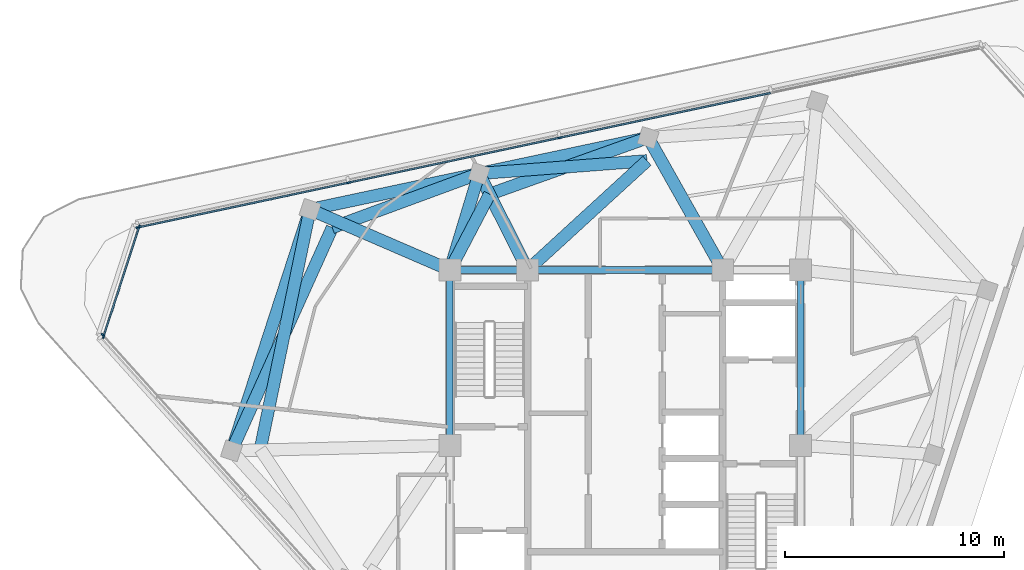
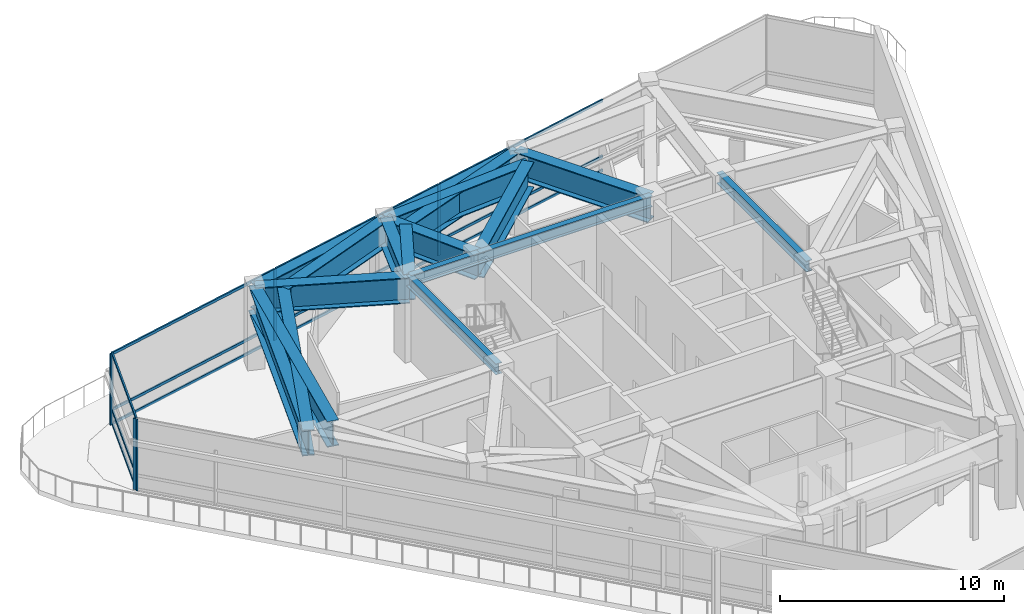
# One storey, part 6 of 15: 18 beams, 18 members, 3 elements without a shape of their own.
"""IFC4 building model written with IfcOpenShell, lengths in metres."""

from ifc_helpers import new_model, si_unit, direction, frame, origin, origin_2d, place, context, subcontext, project, spatial, rectangle, i_section, extrude, material, layer, layer_set, material_profile, profile_set, type_object, element, aggregate, save


model = new_model("IFC4")

# Units and contexts
model_context = context("Model", 3, precision=1e-05, world=origin(), true_north=direction((0.0, 1.0)))
body_context = subcontext(model_context, "Body", "Model", "MODEL_VIEW")
ifc_project = project(units=[si_unit("LENGTHUNIT", "METRE"), si_unit("AREAUNIT", "SQUARE_METRE"), si_unit("VOLUMEUNIT", "CUBIC_METRE"), si_unit("PLANEANGLEUNIT", "RADIAN"), si_unit("MASSUNIT", "GRAM", prefix="KILO")], contexts=[model_context])

# Site, building, storey
site_placement = place(None, origin())
site = spatial("IfcSite", under=ifc_project, at=site_placement, CompositionType="ELEMENT")
building_placement = place(site_placement, origin())
building = spatial("IfcBuilding", under=site, at=building_placement, Name="Terralouvre Media Tower", CompositionType="ELEMENT")
storey_placement = place(building_placement, frame((0.0, 0.0, 312.800048828125)))
storey = spatial("IfcBuildingStorey", under=building, at=storey_placement, Name="L81", CompositionType="ELEMENT", Elevation=312.800048828125)

# Curtain wall, members
ifc_material_1 = material(Name="Low-iron laminated double glazing with solar-control coating", Category="glass")
ifc_layer_1 = layer(ifc_material_1, 0.1650390625, Name="Faceted Glass-Point Crown Curtain Wall CW-06")
ifc_layer_set_1 = layer_set([ifc_layer_1], Name="Low-iron laminated double glazing with solar-control coating")
curtain_wall_type_1 = type_object("IfcCurtainWallType", Name="Faceted Glass-Point Crown Curtain Wall CW-06", PredefinedType="NOTDEFINED", material=ifc_layer_set_1)
curtain_wall_1_placement = place(storey_placement, origin())
curtain_wall_1 = element("IfcCurtainWall", 1, at=curtain_wall_1_placement, inside=storey, type_object=curtain_wall_type_1, Name="L81 Facade Curtain Wall F1", PredefinedType="NOTDEFINED")
ifc_material_2 = material(Name="Anodised extruded aluminium 6063-T6", Category="aluminium")
ifc_material_profile_1 = material_profile(ifc_material_2, rectangle(XDim=0.074951171875, YDim=0.14990234375, at=origin_2d()), Name="ALU 75x150")
ifc_profile_set_1 = profile_set([ifc_material_profile_1], Name="Anodised extruded aluminium 6063-T6")
member_type_1 = type_object("IfcMemberType", Name="Curtain-Wall Horizontal Transom TR-150", PredefinedType="USERDEFINED", material=ifc_profile_set_1)
member_1_placement = place(storey_placement, frame((6.625244140625, 16.073974609375, 0.037353515625), z_axis=(-0.978146864395, -0.207915154988, 0.0), x_axis=(0.207915154988, -0.978146864395, 0.0)))
member_1 = element("IfcMember", 2, at=member_1_placement, type_object=member_type_1, Name="CW-06 transom 2.1", ObjectType="TRANSOM", PredefinedType="USERDEFINED", context=body_context, shape_type="SweptSolid", body=[
    extrude(rectangle(XDim=0.074951171875, YDim=0.14990234375, at=origin_2d()), origin(), (0.0, 0.0, 1.0), 9.784912109375),
])
member_2_placement = place(storey_placement, frame((6.625244140625, 16.073974609375, 0.800048828125), z_axis=(-0.978146864395, -0.207915154988, 0.0), x_axis=(0.207915154988, -0.978146864395, 0.0)))
member_2 = element("IfcMember", 3, at=member_2_placement, type_object=member_type_1, Name="CW-06 transom 2.2", ObjectType="TRANSOM", PredefinedType="USERDEFINED", context=body_context, shape_type="SweptSolid", body=[
    extrude(rectangle(XDim=0.074951171875, YDim=0.14990234375, at=origin_2d()), origin(), (0.0, 0.0, 1.0), 9.784912109375),
])
member_3_placement = place(storey_placement, frame((6.625244140625, 16.073974609375, 3.842529296875), z_axis=(-0.978146864395, -0.207915154988, 0.0), x_axis=(0.207915154988, -0.978146864395, 0.0)))
member_3 = element("IfcMember", 4, at=member_3_placement, type_object=member_type_1, Name="CW-06 transom 2.3", ObjectType="TRANSOM", PredefinedType="USERDEFINED", context=body_context, shape_type="SweptSolid", body=[
    extrude(rectangle(XDim=0.074951171875, YDim=0.14990234375, at=origin_2d()), origin(), (0.0, 0.0, 1.0), 9.784912109375),
])
member_4_placement = place(storey_placement, frame((-3.019287109375, 14.024169921875, 0.037353515625), z_axis=(-0.978146864395, -0.207915154988, 0.0), x_axis=(0.207915154988, -0.978146864395, 0.0)))
member_4 = element("IfcMember", 5, at=member_4_placement, type_object=member_type_1, Name="CW-06 transom 3.1", ObjectType="TRANSOM", PredefinedType="USERDEFINED", context=body_context, shape_type="SweptSolid", body=[
    extrude(rectangle(XDim=0.074951171875, YDim=0.14990234375, at=origin_2d()), origin(), (0.0, 0.0, 1.0), 9.784912109375),
])
member_5_placement = place(storey_placement, frame((-3.019287109375, 14.024169921875, 0.800048828125), z_axis=(-0.978146864395, -0.207915154988, 0.0), x_axis=(0.207915154988, -0.978146864395, 0.0)))
member_5 = element("IfcMember", 6, at=member_5_placement, type_object=member_type_1, Name="CW-06 transom 3.2", ObjectType="TRANSOM", PredefinedType="USERDEFINED", context=body_context, shape_type="SweptSolid", body=[
    extrude(rectangle(XDim=0.074951171875, YDim=0.14990234375, at=origin_2d()), origin(), (0.0, 0.0, 1.0), 9.784912109375),
])
member_6_placement = place(storey_placement, frame((-3.019287109375, 14.024169921875, 3.842529296875), z_axis=(-0.978146864395, -0.207915154988, 0.0), x_axis=(0.207915154988, -0.978146864395, 0.0)))
member_6 = element("IfcMember", 7, at=member_6_placement, type_object=member_type_1, Name="CW-06 transom 3.3", ObjectType="TRANSOM", PredefinedType="USERDEFINED", context=body_context, shape_type="SweptSolid", body=[
    extrude(rectangle(XDim=0.074951171875, YDim=0.14990234375, at=origin_2d()), origin(), (0.0, 0.0, 1.0), 9.784912109375),
])
member_7_placement = place(storey_placement, frame((-12.663818359375, 11.97412109375, 0.037353515625), z_axis=(-0.978147455069, -0.207912376118, 0.0), x_axis=(0.207912376118, -0.978147455069, 0.0)))
member_7 = element("IfcMember", 8, at=member_7_placement, type_object=member_type_1, Name="CW-06 transom 4.1", ObjectType="TRANSOM", PredefinedType="USERDEFINED", context=body_context, shape_type="SweptSolid", body=[
    extrude(rectangle(XDim=0.074951171875, YDim=0.14990234375, at=origin_2d()), origin(), (0.0, 0.0, 1.0), 9.747314453125),
])
member_8_placement = place(storey_placement, frame((-12.663818359375, 11.97412109375, 0.800048828125), z_axis=(-0.978147455069, -0.207912376118, 0.0), x_axis=(0.207912376118, -0.978147455069, 0.0)))
member_8 = element("IfcMember", 9, at=member_8_placement, type_object=member_type_1, Name="CW-06 transom 4.2", ObjectType="TRANSOM", PredefinedType="USERDEFINED", context=body_context, shape_type="SweptSolid", body=[
    extrude(rectangle(XDim=0.074951171875, YDim=0.14990234375, at=origin_2d()), origin(), (0.0, 0.0, 1.0), 9.747314453125),
])
member_9_placement = place(storey_placement, frame((-12.663818359375, 11.97412109375, 3.842529296875), z_axis=(-0.978147455069, -0.207912376118, 0.0), x_axis=(0.207912376118, -0.978147455069, 0.0)))
member_9 = element("IfcMember", 10, at=member_9_placement, type_object=member_type_1, Name="CW-06 transom 4.3", ObjectType="TRANSOM", PredefinedType="USERDEFINED", context=body_context, shape_type="SweptSolid", body=[
    extrude(rectangle(XDim=0.074951171875, YDim=0.14990234375, at=origin_2d()), origin(), (0.0, 0.0, 1.0), 9.747314453125),
])

ifc_material_3 = material(Name="Low-iron laminated double glazing with solar-control coating", Category="glass")
ifc_layer_2 = layer(ifc_material_3, 0.1650390625, Name="Rounded Wind-Corner Curved Glazing CW-04")
ifc_layer_set_2 = layer_set([ifc_layer_2], Name="Low-iron laminated double glazing with solar-control coating")
curtain_wall_type_2 = type_object("IfcCurtainWallType", Name="Rounded Wind-Corner Curved Glazing CW-04", PredefinedType="NOTDEFINED", material=ifc_layer_set_2)
curtain_wall_2_placement = place(storey_placement, origin())
curtain_wall_2 = element("IfcCurtainWall", 11, at=curtain_wall_2_placement, inside=storey, type_object=curtain_wall_type_2, Name="L81 Rounded Wind-Corner Curtain Wall C2", PredefinedType="NOTDEFINED")
member_10_placement = place(storey_placement, frame((-22.1865234375, 9.9345703125, 0.037353515625), z_axis=(-0.309042417242, -0.951048255529, 0.0), x_axis=(0.951048255529, -0.309042417242, 0.0)))
member_10 = element("IfcMember", 12, at=member_10_placement, type_object=member_type_1, Name="CW-04 transom 1.1", ObjectType="TRANSOM", PredefinedType="USERDEFINED", context=body_context, shape_type="SweptSolid", body=[
    extrude(rectangle(XDim=0.074951171875, YDim=0.14990234375, at=origin_2d()), origin(), (0.0, 0.0, 1.0), 5.184814453125),
])
member_11_placement = place(storey_placement, frame((-22.1865234375, 9.9345703125, 0.800048828125), z_axis=(-0.309042417242, -0.951048255529, 0.0), x_axis=(0.951048255529, -0.309042417242, 0.0)))
member_11 = element("IfcMember", 13, at=member_11_placement, type_object=member_type_1, Name="CW-04 transom 1.2", ObjectType="TRANSOM", PredefinedType="USERDEFINED", context=body_context, shape_type="SweptSolid", body=[
    extrude(rectangle(XDim=0.074951171875, YDim=0.14990234375, at=origin_2d()), origin(), (0.0, 0.0, 1.0), 5.184814453125),
])
member_12_placement = place(storey_placement, frame((-22.1865234375, 9.9345703125, 3.842529296875), z_axis=(-0.309042417242, -0.951048255529, 0.0), x_axis=(0.951048255529, -0.309042417242, 0.0)))
member_12 = element("IfcMember", 14, at=member_12_placement, type_object=member_type_1, Name="CW-04 transom 1.3", ObjectType="TRANSOM", PredefinedType="USERDEFINED", context=body_context, shape_type="SweptSolid", body=[
    extrude(rectangle(XDim=0.074951171875, YDim=0.14990234375, at=origin_2d()), origin(), (0.0, 0.0, 1.0), 5.184814453125),
])

# Member
ifc_material_4 = material(Name="Anodised extruded aluminium 6063-T6", Category="aluminium")
ifc_material_profile_2 = material_profile(ifc_material_4, rectangle(XDim=0.074951171875, YDim=0.179931640625, at=origin_2d()), Name="ALU 75x180")
ifc_profile_set_2 = profile_set([ifc_material_profile_2], Name="Anodised extruded aluminium 6063-T6")
member_type_2 = type_object("IfcMemberType", Name="Curtain-Wall Vertical Mullion ML-180", PredefinedType="MULLION", material=ifc_profile_set_2)
member_13_placement = place(storey_placement, frame((-2.982666015625, 14.031982421875, 0.0), z_axis=(0.0, 0.0, 1.0), x_axis=(0.207911717023, -0.978147595164, 0.0)))
member_13 = element("IfcMember", 15, at=member_13_placement, type_object=member_type_2, Name="CW-06 mullion 3", PredefinedType="MULLION", context=body_context, shape_type="SweptSolid", body=[
    extrude(rectangle(XDim=0.074951171875, YDim=0.179931640625, at=origin_2d()), origin(), (0.0, 0.0, 1.0), 3.8798828125),
])

member_14_placement = place(storey_placement, frame((-12.627197265625, 11.98193359375, 0.0), z_axis=(0.0, 0.0, 1.0), x_axis=(0.207911717023, -0.978147595164, 0.0)))
member_14 = element("IfcMember", 16, at=member_14_placement, type_object=member_type_2, Name="CW-06 mullion 4", PredefinedType="MULLION", context=body_context, shape_type="SweptSolid", body=[
    extrude(rectangle(XDim=0.074951171875, YDim=0.179931640625, at=origin_2d()), origin(), (0.0, 0.0, 1.0), 3.8798828125),
])

member_15_placement = place(storey_placement, frame((-22.23486328125, 9.939697265625, 0.0), z_axis=(0.0, 0.0, 1.0), x_axis=(0.207911717023, -0.978147595164, 0.0)))
member_15 = element("IfcMember", 17, at=member_15_placement, type_object=member_type_2, Name="CW-06 mullion 5", PredefinedType="MULLION", context=body_context, shape_type="SweptSolid", body=[
    extrude(rectangle(XDim=0.074951171875, YDim=0.179931640625, at=origin_2d()), origin(), (0.0, 0.0, 1.0), 3.8798828125),
])

aggregate(curtain_wall_1, [member_13, member_14, member_15, member_1, member_2, member_3, member_4, member_5, member_6, member_7, member_8, member_9])

# Curtain wall, member
curtain_wall_3_placement = place(storey_placement, origin())
curtain_wall_3 = element("IfcCurtainWall", 18, at=curtain_wall_3_placement, inside=storey, type_object=curtain_wall_type_1, Name="L81 Facade Curtain Wall F2", PredefinedType="NOTDEFINED")
member_16_placement = place(storey_placement, frame((-23.830810546875, 5.028076171875, 0.0), z_axis=(0.0, 0.0, 1.0), x_axis=(0.743144691688, 0.669130754947, 0.0)))
member_16 = element("IfcMember", 19, at=member_16_placement, type_object=member_type_2, Name="CW-06 mullion 1", PredefinedType="MULLION", context=body_context, shape_type="SweptSolid", body=[
    extrude(rectangle(XDim=0.074951171875, YDim=0.179931640625, at=origin_2d()), origin(), (0.0, 0.0, 1.0), 3.8798828125),
])
aggregate(curtain_wall_3, [member_16])

# Member
member_17_placement = place(storey_placement, frame((-22.175048828125, 9.97021484375, 0.0), z_axis=(0.0, 0.0, 1.0), x_axis=(0.951056286014, -0.309017703105, 0.0)))
member_17 = element("IfcMember", 20, at=member_17_placement, type_object=member_type_2, Name="CW-04 mullion 1", PredefinedType="MULLION", context=body_context, shape_type="SweptSolid", body=[
    extrude(rectangle(XDim=0.074951171875, YDim=0.179931640625, at=origin_2d()), origin(), (0.0, 0.0, 1.0), 3.8798828125),
])

member_18_placement = place(storey_placement, frame((-23.80029296875, 4.968017578125, 0.0), z_axis=(0.0, 0.0, 1.0), x_axis=(0.951056286014, -0.309017703105, 0.0)))
member_18 = element("IfcMember", 21, at=member_18_placement, type_object=member_type_2, Name="CW-04 mullion 2", PredefinedType="MULLION", context=body_context, shape_type="SweptSolid", body=[
    extrude(rectangle(XDim=0.074951171875, YDim=0.179931640625, at=origin_2d()), origin(), (0.0, 0.0, 1.0), 3.8798828125),
])

aggregate(curtain_wall_2, [member_17, member_18, member_10, member_11, member_12])

# Beams
ifc_material_5 = material(Name="Structural steel S460M", Category="steel")
ifc_material_profile_3 = material_profile(ifc_material_5, i_section(OverallWidth=0.300048828125, OverallDepth=0.60009765625, WebThickness=0.015380859375, FlangeThickness=0.030029296875, at=origin_2d()), Name="HEB 600")
ifc_profile_set_3 = profile_set([ifc_material_profile_3], Name="Structural steel S460M")
beam_type_1 = type_object("IfcBeamType", Name="Primary Floor Girder B-HEB600 (HEB 600)", PredefinedType="BEAM", material=ifc_profile_set_3)
beam_1_placement = place(storey_placement, frame((8.0, 0.0, 4.079833984375), z_axis=(0.0, 1.0, 0.0), x_axis=(-1.0, 0.0, 0.0)))
element("IfcBeam", 22, at=beam_1_placement, inside=storey, type_object=beam_type_1, Name="L81 Framing Beam BM-L81-CPR05", PredefinedType="BEAM", context=body_context, shape_type="SweptSolid", body=[
    extrude(i_section(OverallWidth=0.300048828125, OverallDepth=0.60009765625, WebThickness=0.015380859375, FlangeThickness=0.030029296875, at=origin_2d()), origin(), (0.0, 0.0, 1.0), 8.0),
])
beam_2_placement = place(storey_placement, frame((4.449951171875, 8.0, 4.079833984375), z_axis=(-1.0, 0.0, 0.0), x_axis=(0.0, -1.0, 0.0)))
element("IfcBeam", 23, at=beam_2_placement, inside=storey, type_object=beam_type_1, Name="L81 Framing Beam BM-L81-CPR07", PredefinedType="BEAM", context=body_context, shape_type="SweptSolid", body=[
    extrude(i_section(OverallWidth=0.300048828125, OverallDepth=0.60009765625, WebThickness=0.015380859375, FlangeThickness=0.030029296875, at=origin_2d()), origin(), (0.0, 0.0, 1.0), 8.89990234375),
])
beam_3_placement = place(storey_placement, frame((-4.449951171875, 8.0, 4.079833984375), z_axis=(-1.0, 0.0, 0.0), x_axis=(0.0, -1.0, 0.0)))
element("IfcBeam", 24, at=beam_3_placement, inside=storey, type_object=beam_type_1, Name="L81 Framing Beam BM-L81-CPR08", PredefinedType="BEAM", context=body_context, shape_type="SweptSolid", body=[
    extrude(i_section(OverallWidth=0.300048828125, OverallDepth=0.60009765625, WebThickness=0.015380859375, FlangeThickness=0.030029296875, at=origin_2d()), origin(), (0.0, 0.0, 1.0), 3.550048828125),
])
beam_4_placement = place(storey_placement, frame((-8.0, 8.0, 4.079833984375), z_axis=(0.0, -1.0, 0.0), x_axis=(1.0, 0.0, 0.0)))
element("IfcBeam", 25, at=beam_4_placement, inside=storey, type_object=beam_type_1, Name="L81 Framing Beam BM-L81-CPR09", PredefinedType="BEAM", context=body_context, shape_type="SweptSolid", body=[
    extrude(i_section(OverallWidth=0.300048828125, OverallDepth=0.60009765625, WebThickness=0.015380859375, FlangeThickness=0.030029296875, at=origin_2d()), origin(), (0.0, 0.0, 1.0), 8.0),
])
ifc_material_6 = material(Name="Structural steel S460M", Category="steel")
ifc_material_profile_4 = material_profile(ifc_material_6, i_section(OverallWidth=0.56005859375, OverallDepth=1.39990234375, WebThickness=0.031982421875, FlangeThickness=0.050048828125, at=origin_2d()), Name="TG 1400x560")
ifc_profile_set_4 = profile_set([ifc_material_profile_4], Name="Structural steel S460M")
beam_type_2 = type_object("IfcBeamType", Name="Welded Transfer Girder TG-1400 (TG 1400x560)", PredefinedType="USERDEFINED", material=ifc_profile_set_4)
beam_5_placement = place(storey_placement, frame((1.0478515625, 14.0400390625, 3.679931640625), z_axis=(-0.978143981393, -0.207928717748, 0.0), x_axis=(0.207928717748, -0.978143981393, 0.0)))
element("IfcBeam", 26, at=beam_5_placement, inside=storey, type_object=beam_type_2, Name="L81 Framing Beam BM-L81-PR11", ObjectType="TRANSFER GIRDER", PredefinedType="USERDEFINED", context=body_context, shape_type="SweptSolid", body=[
    extrude(i_section(OverallWidth=0.56005859375, OverallDepth=1.39990234375, WebThickness=0.031982421875, FlangeThickness=0.050048828125, at=origin_2d()), origin(), (0.0, 0.0, 1.0), 7.887939453125),
])
beam_6_placement = place(storey_placement, frame((-6.667724609375, 12.39990234375, 3.679931640625), z_axis=(-0.97815161364, -0.207892810683, 0.0), x_axis=(0.207892810683, -0.97815161364, 0.0)))
element("IfcBeam", 27, at=beam_6_placement, inside=storey, type_object=beam_type_2, Name="L81 Framing Beam BM-L81-PR12", ObjectType="TRANSFER GIRDER", PredefinedType="USERDEFINED", context=body_context, shape_type="SweptSolid", body=[
    extrude(i_section(OverallWidth=0.56005859375, OverallDepth=1.39990234375, WebThickness=0.031982421875, FlangeThickness=0.050048828125, at=origin_2d()), origin(), (0.0, 0.0, 1.0), 7.88818359375),
])
beam_7_placement = place(storey_placement, frame((-14.383544921875, 10.760009765625, 3.679931640625), z_axis=(-0.30900024151, -0.951061959468, 0.0), x_axis=(0.951061959468, -0.30900024151, 0.0)))
element("IfcBeam", 28, at=beam_7_placement, inside=storey, type_object=beam_type_2, Name="L81 Framing Beam BM-L81-PR13", ObjectType="TRANSFER GIRDER", PredefinedType="USERDEFINED", context=body_context, shape_type="SweptSolid", body=[
    extrude(i_section(OverallWidth=0.56005859375, OverallDepth=1.39990234375, WebThickness=0.031982421875, FlangeThickness=0.050048828125, at=origin_2d()), origin(), (0.0, 0.0, 1.0), 11.577392578125),
])
beam_8_placement = place(storey_placement, frame((4.449951171875, 8.0, 3.679931640625), z_axis=(-0.490762779749, 0.871293230786, 0.0), x_axis=(-0.871293230786, -0.490762779749, 0.0)))
element("IfcBeam", 29, at=beam_8_placement, inside=storey, type_object=beam_type_2, Name="L81 Framing Beam BM-L81-RD11", ObjectType="TRANSFER GIRDER", PredefinedType="USERDEFINED", context=body_context, shape_type="SweptSolid", body=[
    extrude(i_section(OverallWidth=0.56005859375, OverallDepth=1.39990234375, WebThickness=0.031982421875, FlangeThickness=0.050048828125, at=origin_2d()), origin(), (0.0, 0.0, 1.0), 6.932373046875),
])
beam_9_placement = place(storey_placement, frame((-8.0, 8.0, 3.679931640625), z_axis=(0.289802510756, 0.95708646671, 0.0), x_axis=(-0.95708646671, 0.289802510756, 0.0)))
element("IfcBeam", 30, at=beam_9_placement, inside=storey, type_object=beam_type_2, Name="L81 Framing Beam BM-L81-RD12", ObjectType="TRANSFER GIRDER", PredefinedType="USERDEFINED", context=body_context, shape_type="SweptSolid", body=[
    extrude(i_section(OverallWidth=0.56005859375, OverallDepth=1.39990234375, WebThickness=0.031982421875, FlangeThickness=0.050048828125, at=origin_2d()), origin(), (0.0, 0.0, 1.0), 4.59716796875),
])
beam_10_placement = place(storey_placement, frame((-8.0, 8.0, 3.679931640625), z_axis=(-0.917880192638, 0.39685759658, 0.0), x_axis=(-0.39685759658, -0.917880192638, 0.0)))
element("IfcBeam", 31, at=beam_10_placement, inside=storey, type_object=beam_type_2, Name="L81 Framing Beam BM-L81-RD13", ObjectType="TRANSFER GIRDER", PredefinedType="USERDEFINED", context=body_context, shape_type="SweptSolid", body=[
    extrude(i_section(OverallWidth=0.56005859375, OverallDepth=1.39990234375, WebThickness=0.031982421875, FlangeThickness=0.050048828125, at=origin_2d()), origin(), (0.0, 0.0, 1.0), 6.95458984375),
])
beam_11_placement = place(storey_placement, frame((0.9921875, 12.984375, 3.679931640625), z_axis=(-0.73744107964, -0.675411470187, 0.0), x_axis=(0.675411470187, -0.73744107964, 0.0)))
element("IfcBeam", 32, at=beam_11_placement, inside=storey, type_object=beam_type_2, Name="L81 Framing Beam BM-L81-TR06S1", ObjectType="TRANSFER GIRDER", PredefinedType="USERDEFINED", context=body_context, shape_type="SweptSolid", body=[
    extrude(i_section(OverallWidth=0.56005859375, OverallDepth=1.39990234375, WebThickness=0.031982421875, FlangeThickness=0.050048828125, at=origin_2d()), origin(), (0.0, 0.0, 1.0), 7.379638671875),
])
beam_12_placement = place(storey_placement, frame((0.9921875, 12.984375, 3.679931640625), z_axis=(-0.997101592233, -0.076081632249, 0.0), x_axis=(0.076081632249, -0.997101592233, 0.0)))
element("IfcBeam", 33, at=beam_12_placement, inside=storey, type_object=beam_type_2, Name="L81 Framing Beam BM-L81-TR06S2", ObjectType="TRANSFER GIRDER", PredefinedType="USERDEFINED", context=body_context, shape_type="SweptSolid", body=[
    extrude(i_section(OverallWidth=0.56005859375, OverallDepth=1.39990234375, WebThickness=0.031982421875, FlangeThickness=0.050048828125, at=origin_2d()), origin(), (0.0, 0.0, 1.0), 7.68212890625),
])
beam_13_placement = place(storey_placement, frame((-6.667724609375, 12.39990234375, 3.679931640625), z_axis=(0.450104928324, -0.89297567352, 0.0), x_axis=(0.89297567352, 0.450104928324, 0.0)))
element("IfcBeam", 34, at=beam_13_placement, inside=storey, type_object=beam_type_2, Name="L81 Framing Beam BM-L81-TRC07", ObjectType="TRANSFER GIRDER", PredefinedType="USERDEFINED", context=body_context, shape_type="SweptSolid", body=[
    extrude(i_section(OverallWidth=0.56005859375, OverallDepth=1.39990234375, WebThickness=0.031982421875, FlangeThickness=0.050048828125, at=origin_2d()), origin(), (0.0, 0.0, 1.0), 4.92724609375),
])
beam_14_placement = place(storey_placement, frame((-6.1875, 11.458251953125, 3.679931640625), z_axis=(-0.464214929588, -0.885722585885, 0.0), x_axis=(0.885722585885, -0.464214929588, 0.0)))
element("IfcBeam", 35, at=beam_14_placement, inside=storey, type_object=beam_type_2, Name="L81 Framing Beam BM-L81-TR07S1", ObjectType="TRANSFER GIRDER", PredefinedType="USERDEFINED", context=body_context, shape_type="SweptSolid", body=[
    extrude(i_section(OverallWidth=0.56005859375, OverallDepth=1.39990234375, WebThickness=0.031982421875, FlangeThickness=0.050048828125, at=origin_2d()), origin(), (0.0, 0.0, 1.0), 3.904541015625),
])
beam_15_placement = place(storey_placement, frame((-6.1875, 11.458251953125, 3.679931640625), z_axis=(0.94183534614, 0.336074665455, 0.0), x_axis=(-0.336074665455, 0.94183534614, 0.0)))
element("IfcBeam", 36, at=beam_15_placement, inside=storey, type_object=beam_type_2, Name="L81 Framing Beam BM-L81-TR07S2", ObjectType="TRANSFER GIRDER", PredefinedType="USERDEFINED", context=body_context, shape_type="SweptSolid", body=[
    extrude(i_section(OverallWidth=0.56005859375, OverallDepth=1.39990234375, WebThickness=0.031982421875, FlangeThickness=0.050048828125, at=origin_2d()), origin(), (0.0, 0.0, 1.0), 7.68212890625),
])
beam_16_placement = place(storey_placement, frame((-13.3671875, 9.93212890625, 3.679931640625), z_axis=(0.93836354918, 0.345649894505, 0.0), x_axis=(-0.345649894505, 0.93836354918, 0.0)))
element("IfcBeam", 37, at=beam_16_placement, inside=storey, type_object=beam_type_2, Name="L81 Framing Beam BM-L81-TR08S1", ObjectType="TRANSFER GIRDER", PredefinedType="USERDEFINED", context=body_context, shape_type="SweptSolid", body=[
    extrude(i_section(OverallWidth=0.56005859375, OverallDepth=1.39990234375, WebThickness=0.031982421875, FlangeThickness=0.050048828125, at=origin_2d()), origin(), (0.0, 0.0, 1.0), 7.139404296875),
])
beam_17_placement = place(storey_placement, frame((-13.3671875, 9.93212890625, 3.679931640625), z_axis=(-0.411217784619, -0.911537126843, 0.0), x_axis=(0.911537126843, -0.411217784619, 0.0)))
element("IfcBeam", 38, at=beam_17_placement, inside=storey, type_object=beam_type_2, Name="L81 Framing Beam BM-L81-TR08S2", ObjectType="TRANSFER GIRDER", PredefinedType="USERDEFINED", context=body_context, shape_type="SweptSolid", body=[
    extrude(i_section(OverallWidth=0.56005859375, OverallDepth=1.39990234375, WebThickness=0.031982421875, FlangeThickness=0.050048828125, at=origin_2d()), origin(), (0.0, 0.0, 1.0), 11.171142578125),
])
beam_18_placement = place(storey_placement, frame((-16.65234375, -0.178466796875, 3.679931640625), z_axis=(0.203091930481, 0.979159674299, 0.0), x_axis=(-0.979159674299, 0.203091930481, 0.0)))
element("IfcBeam", 39, at=beam_18_placement, inside=storey, type_object=beam_type_2, Name="L81 Framing Beam BM-L81-TR09S2", ObjectType="TRANSFER GIRDER", PredefinedType="USERDEFINED", context=body_context, shape_type="SweptSolid", body=[
    extrude(i_section(OverallWidth=0.56005859375, OverallDepth=1.39990234375, WebThickness=0.031982421875, FlangeThickness=0.050048828125, at=origin_2d()), origin(), (0.0, 0.0, 1.0), 11.17138671875),
])

save(model, "model.ifc")
